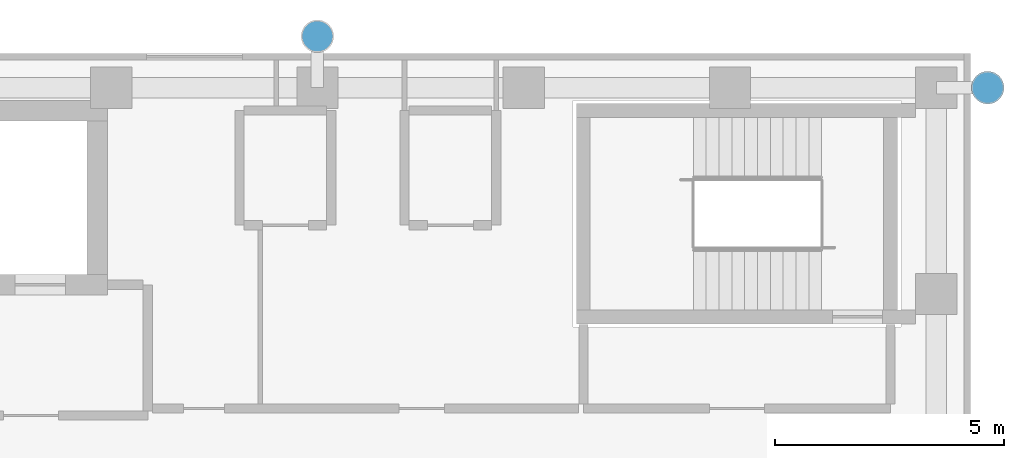
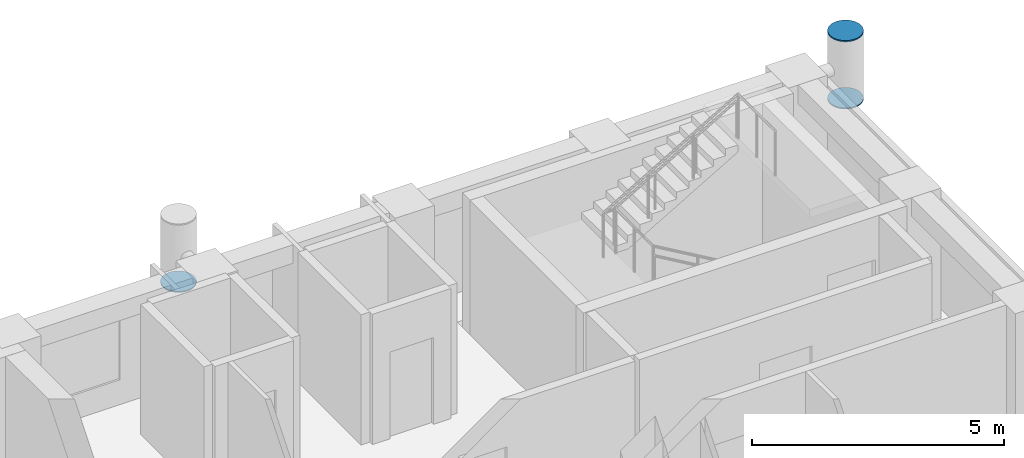
# One storey, part 7 of 9: 3 discrete accessories.
"""IFC4 building model written with IfcOpenShell, lengths in metres."""

from ifc_helpers import new_model, si_unit, direction, frame, origin, origin_2d, place, context, subcontext, project, spatial, circle, extrude, material, material_profile, profile_set, type_object, element, save


model = new_model("IFC4")

# Units and contexts
model_context = context("Model", 3, precision=1e-05, world=origin(), true_north=direction((0.0, 1.0)))
body_context = subcontext(model_context, "Body", "Model", "MODEL_VIEW")
ifc_project = project(units=[si_unit("LENGTHUNIT", "METRE"), si_unit("AREAUNIT", "SQUARE_METRE"), si_unit("VOLUMEUNIT", "CUBIC_METRE"), si_unit("PLANEANGLEUNIT", "RADIAN"), si_unit("MASSUNIT", "GRAM", prefix="KILO")], contexts=[model_context])

# Site, building, storey
site_placement = place(None, origin())
site = spatial("IfcSite", under=ifc_project, at=site_placement, CompositionType="ELEMENT")
building_placement = place(site_placement, origin())
building = spatial("IfcBuilding", under=site, at=building_placement, Name="Firuza Court", CompositionType="ELEMENT")
storey_placement = place(building_placement, frame((0.0, 0.0, 254.60009765625)))
storey = spatial("IfcBuildingStorey", under=building, at=storey_placement, Name="L66", CompositionType="ELEMENT", Elevation=254.60009765625)

# Discrete accessories
ifc_material = material(Name="Steel S355", Category="steel")
ifc_material_profile = material_profile(ifc_material, circle(Radius=0.35546875, at=origin_2d()), Name="PL D711")
ifc_profile_set = profile_set([ifc_material_profile], Name="Steel S355")
discrete_accessory_type = type_object("IfcDiscreteAccessoryType", Name="DIAGRID NODE END PLATE", PredefinedType="NOTDEFINED", material=ifc_profile_set)
for number, where, z_axis, x_axis, name in (
    (1, (31.5, 59.6201171875, 2.06982421875), (0.0, 0.0, 1.0), (1.0, 0.0, 0.0), "Diagrid node end plate level L66"),
    (2, (46.1201171875, 58.5, 3.699951171875), (0.0, 0.0, 1.0), (1.0, 0.0, 0.0), "Diagrid node end plate level L66"),
    (3, (46.1201171875, 58.5, 2.06982421875), (0.0, 0.0, 1.0), (1.0, 0.0, 0.0), "Diagrid node end plate level L66"),
):
    element("IfcDiscreteAccessory", number, at=place(storey_placement, frame(where, z_axis=z_axis, x_axis=x_axis)), inside=storey, type_object=discrete_accessory_type, Name=name, PredefinedType="NOTDEFINED", context=body_context, shape_type="SweptSolid", body=[
        extrude(circle(Radius=0.35546875, at=origin_2d()), origin(), (0.0, 0.0, 1.0), 0.030029296875),
    ])

save(model, "model.ifc")
